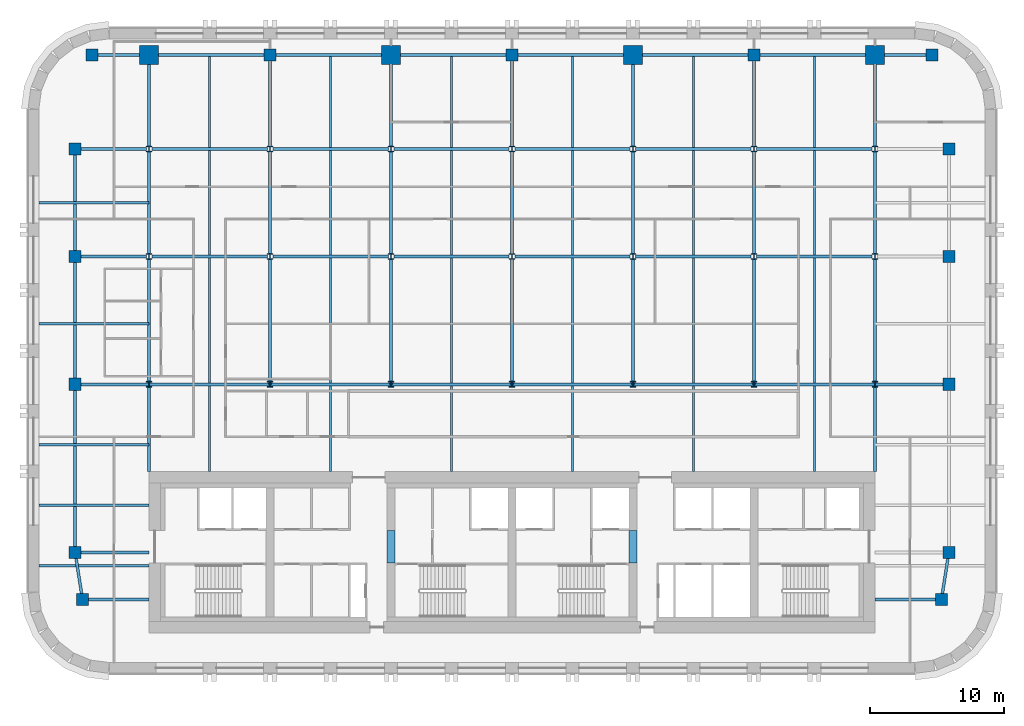
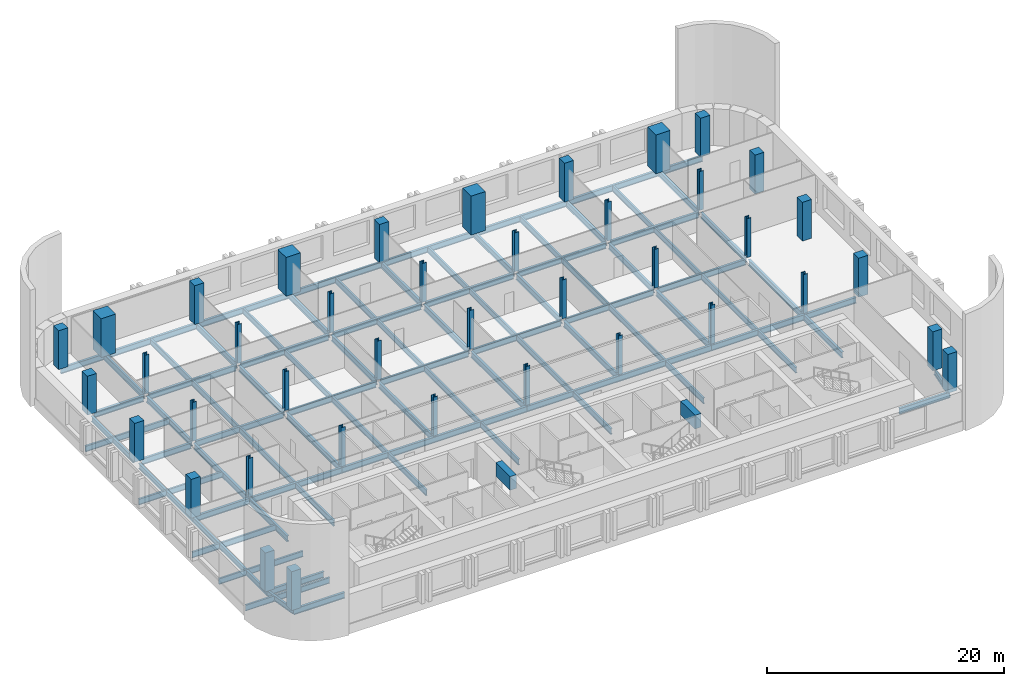
# One storey, part 1 of 9: 64 beams, 40 columns.
"""IFC4 building model written with IfcOpenShell, lengths in metres."""

import ifcopenshell
import ifcopenshell.guid

model = None  # the IFC model being written
_history = None  # IfcOwnerHistory: only IFC2X3 demands one
_inside = {}  # id of a spatial element -> (the spatial element, [elements in it])
_under = {}  # id of a project, library or spatial element -> (it, [spatial elements below it])
_declared = {}  # id of a project -> (the project, [libraries it declares])
_typed = {}  # id of a type object -> (the type object, [elements of that type])
_made_of = {}  # id of a material, layer set ... -> (it, [elements and type objects made of it])


def new_model(schema):
    """Start an empty IFC model of exactly this schema.

    Asked for "IFC4X3", IfcOpenShell would pick the latest addendum, in which some entities
    have other attributes; the version numbers below select the first issue.
    IFC2X3 requires an IfcOwnerHistory on every rooted entity: one is made here for all.
    """
    global model, _history
    if schema == "IFC4X3":
        model = ifcopenshell.file(schema_version=(4, 3, 0, 0))
    else:
        model = ifcopenshell.file(schema=schema)
    _inside.clear()
    _under.clear()
    _declared.clear()
    _typed.clear()
    _made_of.clear()
    _history = None
    if model.schema == "IFC2X3":
        org = make("IfcOrganization", Name="unknown")
        user = make(
            "IfcPersonAndOrganization",
            ThePerson=make("IfcPerson", FamilyName="unknown"),
            TheOrganization=org,
        )
        app = make(
            "IfcApplication",
            ApplicationDeveloper=org,
            Version="unknown",
            ApplicationFullName="unknown",
            ApplicationIdentifier="unknown",
        )
        _history = make(
            "IfcOwnerHistory",
            OwningUser=user,
            OwningApplication=app,
            ChangeAction="ADDED",
            CreationDate=0,
        )
    return model


def make(cls, **values):
    """One entity of the class cls with the attributes given. An attribute that is None is left unset."""
    return model.create_entity(
        cls, **{name: value for name, value in values.items() if value is not None}
    )


def rooted(cls, **values):
    """An entity with a GlobalId (a new one), such as an element, a storey or a relation."""
    return make(cls, GlobalId=ifcopenshell.guid.new(), OwnerHistory=_history, **values)


def si_unit(unit_type, name, prefix=None):
    """IfcSIUnit, for example si_unit("LENGTHUNIT", "METRE", prefix="MILLI")."""
    return make("IfcSIUnit", UnitType=unit_type, Prefix=prefix, Name=name)


def assignment(units):
    """IfcUnitAssignment: the units of a project."""
    return None if units is None else make("IfcUnitAssignment", Units=units)


def point(xyz):
    """IfcCartesianPoint."""
    return None if xyz is None else make("IfcCartesianPoint", Coordinates=xyz)


def direction(xyz):
    """IfcDirection."""
    return None if xyz is None else make("IfcDirection", DirectionRatios=xyz)


def frame(location, z_axis=None, x_axis=None):
    """IfcAxis2Placement3D, a coordinate frame: its origin and axes. An axis left out is left unset."""
    return make(
        "IfcAxis2Placement3D",
        Location=point(location),
        Axis=direction(z_axis),
        RefDirection=direction(x_axis),
    )


def frame_2d(location, x_axis=None):
    """IfcAxis2Placement2D, a coordinate frame in the plane: its origin and x axis."""
    return make(
        "IfcAxis2Placement2D", Location=point(location), RefDirection=direction(x_axis)
    )


def origin():
    """The frame at (0, 0, 0) with its axes left unset."""
    return frame((0.0, 0.0, 0.0))


def origin_2d():
    """The frame at (0, 0) in the plane with its x axis left unset."""
    return frame_2d((0.0, 0.0))


def place(relative_to, where):
    """IfcLocalPlacement: puts the frame where relative to a parent placement (None: the world)."""
    return make(
        "IfcLocalPlacement", PlacementRelTo=relative_to, RelativePlacement=where
    )


def context(
    kind, dimensions, precision=None, world=None, true_north=None, identifier=None
):
    """IfcGeometricRepresentationContext, for example the 3D "Model" context."""
    return make(
        "IfcGeometricRepresentationContext",
        ContextIdentifier=identifier,
        ContextType=kind,
        CoordinateSpaceDimension=dimensions,
        Precision=precision,
        WorldCoordinateSystem=world,
        TrueNorth=true_north,
    )


def subcontext(parent, identifier, kind, view, scale=None):
    """IfcGeometricRepresentationSubContext, for example "Body" below "Model"."""
    return make(
        "IfcGeometricRepresentationSubContext",
        ContextIdentifier=identifier,
        ContextType=kind,
        ParentContext=parent,
        TargetScale=scale,
        TargetView=view,
    )


def project(units=None, contexts=None):
    """IfcProject with its units and contexts."""
    return rooted(
        "IfcProject",
        Name="project",
        RepresentationContexts=contexts,
        UnitsInContext=assignment(units),
    )


def spatial(cls, under=None, at=None, **own):
    """A site, building, storey or space (cls), placed at a placement, below another one or the project."""
    s = rooted(cls, ObjectPlacement=at, **own)
    if under is not None:
        _under.setdefault(under.id(), (under, []))[1].append(s)
    return s


def profile(cls, at=None, kind="AREA", **sizes):
    """A parametric profile (cls). Its sizes go by their IFC names, for example OverallWidth=200.0."""
    return make(cls, ProfileType=kind, Position=at, **sizes)


def rectangle(**sizes):
    """IfcRectangleProfileDef."""
    return profile("IfcRectangleProfileDef", **sizes)


def i_section(**sizes):
    """IfcIShapeProfileDef."""
    return profile("IfcIShapeProfileDef", **sizes)


def extrude(swept, where, along, depth):
    """IfcExtrudedAreaSolid: the profile swept, set in the frame where, extruded along a direction by depth."""
    return make(
        "IfcExtrudedAreaSolid",
        SweptArea=swept,
        Position=where,
        ExtrudedDirection=direction(along),
        Depth=depth,
    )


def shape(context_of_items, identifier, shape_type, items):
    """IfcShapeRepresentation: the items that make up one representation, for example the "Body"."""
    return make(
        "IfcShapeRepresentation",
        ContextOfItems=context_of_items,
        RepresentationIdentifier=identifier,
        RepresentationType=shape_type,
        Items=items,
    )


def material(Name=None, Category=None):
    """IfcMaterial."""
    return make("IfcMaterial", Name=Name, Category=Category)


def material_profile(
    of_material, cross_section, Name=None, Category=None, Priority=None
):
    """IfcMaterialProfile: a cross section and its material."""
    return make(
        "IfcMaterialProfile",
        Name=Name,
        Material=of_material,
        Profile=cross_section,
        Priority=Priority,
        Category=Category,
    )


def profile_set(profiles, Name=None, composite=None):
    """IfcMaterialProfileSet."""
    return make(
        "IfcMaterialProfileSet",
        Name=Name,
        MaterialProfiles=profiles,
        CompositeProfile=composite,
    )


def made_of(thing, what):
    """Note that an element or type object is made of a material, layer set ...; save() writes the relation."""
    if what is not None:
        _made_of.setdefault(what.id(), (what, []))[1].append(thing)
    return thing


def type_object(cls, material=None, **own):
    """A type object (cls), such as IfcWallType, which elements share."""
    return made_of(rooted(cls, **own), material)


def element(
    cls,
    number,
    at=None,
    inside=None,
    cuts=None,
    type_object=None,
    material=None,
    context=None,
    identifier="Body",
    shape_type=None,
    held_by="IfcProductDefinitionShape",
    body=None,
    shapes=None,
    **own,
):
    """One element of the class cls, such as IfcWall. Its Tag is "e" and its number.

    at: its placement. inside: the storey or other place that contains it. cuts: it is an
    opening in that element (IfcRelVoidsElement). A single representation is given by context,
    identifier, shape_type and body (its items); several are given by shapes. held_by: the class
    of the entity that holds the representations. save() writes the other relations.
    """
    e = rooted(cls, Tag="e%d" % number, ObjectPlacement=at, **own)
    if body is not None:
        shapes = [shape(context, identifier, shape_type, body)]
    if shapes is not None:
        e.Representation = make(held_by, Representations=shapes)
    if inside is not None:
        _inside.setdefault(inside.id(), (inside, []))[1].append(e)
    if cuts is not None:
        rooted(
            "IfcRelVoidsElement", RelatingBuildingElement=cuts, RelatedOpeningElement=e
        )
    if type_object is not None:
        _typed.setdefault(type_object.id(), (type_object, []))[1].append(e)
    return made_of(e, material)


def aggregate(whole, parts):
    """IfcRelAggregates: a whole, such as a stair, and the parts it consists of."""
    return rooted("IfcRelAggregates", RelatingObject=whole, RelatedObjects=parts)


def save(model, path):
    """Write the relations noted so far, then the file.

    IfcRelAggregates (storeys below a building ...), IfcRelContainedInSpatialStructure (elements
    in a storey), IfcRelDefinesByType, IfcRelAssociatesMaterial and IfcRelDeclares: one each for
    every whole, place, type object, material and project.
    """
    for whole, parts in _under.values():
        aggregate(whole, parts)
    for where, things in _inside.values():
        rooted(
            "IfcRelContainedInSpatialStructure",
            RelatedElements=things,
            RelatingStructure=where,
        )
    for kind, things in _typed.values():
        rooted("IfcRelDefinesByType", RelatedObjects=things, RelatingType=kind)
    for what, things in _made_of.values():
        rooted("IfcRelAssociatesMaterial", RelatedObjects=things, RelatingMaterial=what)
    for by, libraries in _declared.values():
        rooted("IfcRelDeclares", RelatingContext=by, RelatedDefinitions=libraries)
    model.write(path)


model = new_model("IFC4")

# Units and contexts
model_context = context("Model", 3, precision=1e-05, world=origin(), true_north=direction((0.0, 1.0)))
body_context = subcontext(model_context, "Body", "Model", "MODEL_VIEW")
ifc_project = project(units=[si_unit("LENGTHUNIT", "METRE"), si_unit("AREAUNIT", "SQUARE_METRE"), si_unit("VOLUMEUNIT", "CUBIC_METRE"), si_unit("PLANEANGLEUNIT", "RADIAN"), si_unit("MASSUNIT", "GRAM", prefix="KILO")], contexts=[model_context])

# Site, building, storey
site_placement = place(None, origin())
site = spatial("IfcSite", under=ifc_project, at=site_placement, CompositionType="ELEMENT")
building_placement = place(site_placement, origin())
building = spatial("IfcBuilding", under=site, at=building_placement, Name="Zellij Exchange Tower", CompositionType="ELEMENT")
storey_placement = place(building_placement, frame((0.0, 0.0, 176.5)))
storey = spatial("IfcBuildingStorey", under=building, at=storey_placement, Name="L40", CompositionType="ELEMENT", Elevation=176.5)

# Columns
ifc_material_1 = material(Name="Concrete C60/75", Category="concrete")
ifc_material_profile_1 = material_profile(ifc_material_1, rectangle(XDim=0.89990234375, YDim=0.89990234375, at=origin_2d()), Name="STR-COLUMN RC900x900 C60/75")
ifc_profile_set_1 = profile_set([ifc_material_profile_1], Name="Concrete C60/75")
column_type_1 = type_object("IfcColumnType", Name="STR-COLUMN RC900x900 C60/75", PredefinedType="COLUMN", material=ifc_profile_set_1)
for number, where, z_axis, x_axis, name in (
    (1, (-31.949951171875, -11.5, 0.0), (0.0, 0.0, 1.0), (1.0, 0.0, 0.0), "C16"),
    (2, (31.949951171875, -11.5, 0.0), (0.0, 0.0, 1.0), (1.0, 0.0, 0.0), "C16"),
    (3, (-32.5, -8.0, 0.0), (0.0, 0.0, 1.0), (1.0, 0.0, 0.0), "C16"),
    (4, (32.5, -8.0, 0.0), (0.0, 0.0, 1.0), (1.0, 0.0, 0.0), "C16"),
    (5, (-32.5, 4.5, 0.0), (0.0, 0.0, 1.0), (1.0, 0.0, 0.0), "C16"),
    (6, (32.5, 4.5, 0.0), (0.0, 0.0, 1.0), (1.0, 0.0, 0.0), "C16"),
    (7, (-32.5, 14.0, 0.0), (0.0, 0.0, 1.0), (1.0, 0.0, 0.0), "C16"),
    (8, (32.5, 14.0, 0.0), (0.0, 0.0, 1.0), (1.0, 0.0, 0.0), "C16"),
    (9, (-32.5, 22.0, 0.0), (0.0, 0.0, 1.0), (1.0, 0.0, 0.0), "C16"),
    (10, (32.5, 22.0, 0.0), (0.0, 0.0, 1.0), (1.0, 0.0, 0.0), "C16"),
    (11, (-31.25, 29.0, 0.0), (0.0, 0.0, 1.0), (1.0, 0.0, 0.0), "C16"),
    (12, (-18.0, 29.0, 0.0), (0.0, 0.0, 1.0), (1.0, 0.0, 0.0), "C16"),
    (13, (0.0, 29.0, 0.0), (0.0, 0.0, 1.0), (1.0, 0.0, 0.0), "C16"),
    (14, (18.0, 29.0, 0.0), (0.0, 0.0, 1.0), (1.0, 0.0, 0.0), "C16"),
    (15, (31.25, 29.0, 0.0), (0.0, 0.0, 1.0), (1.0, 0.0, 0.0), "C16"),
):
    element("IfcColumn", number, at=place(storey_placement, frame(where, z_axis=z_axis, x_axis=x_axis)), inside=storey, type_object=column_type_1, Name=name, PredefinedType="COLUMN", context=body_context, shape_type="SweptSolid", body=[
        extrude(rectangle(XDim=0.89990234375, YDim=0.89990234375, at=origin_2d()), origin(), (0.0, 0.0, 1.0), 4.0),
    ])
ifc_material_2 = material(Name="Structural steel ASTM A913 Gr 65", Category="steel")
ifc_material_profile_2 = material_profile(ifc_material_2, i_section(OverallWidth=0.408935546875, OverallDepth=0.424072265625, WebThickness=0.03271484375, FlangeThickness=0.052490234375, at=origin_2d()), Name="W14x283")
ifc_profile_set_2 = profile_set([ifc_material_profile_2], Name="Structural steel ASTM A913 Gr 65")
column_type_2 = type_object("IfcColumnType", Name="STR-COLUMN W14x283", PredefinedType="COLUMN", material=ifc_profile_set_2)
for number, where, z_axis, x_axis, name in (
    (16, (-27.0, 4.5, 0.0), (0.0, 0.0, 1.0), (1.0, 0.0, 0.0), "C3"),
    (17, (-18.0, 4.5, 0.0), (0.0, 0.0, 1.0), (1.0, 0.0, 0.0), "C3"),
    (18, (-9.0, 4.5, 0.0), (0.0, 0.0, 1.0), (1.0, 0.0, 0.0), "C3"),
    (19, (0.0, 4.5, 0.0), (0.0, 0.0, 1.0), (1.0, 0.0, 0.0), "C3"),
    (20, (9.0, 4.5, 0.0), (0.0, 0.0, 1.0), (1.0, 0.0, 0.0), "C3"),
    (21, (18.0, 4.5, 0.0), (0.0, 0.0, 1.0), (1.0, 0.0, 0.0), "C3"),
    (22, (27.0, 4.5, 0.0), (0.0, 0.0, 1.0), (1.0, 0.0, 0.0), "C3"),
    (23, (-27.0, 14.0, 0.0), (0.0, 0.0, 1.0), (1.0, 0.0, 0.0), "C3"),
    (24, (-18.0, 14.0, 0.0), (0.0, 0.0, 1.0), (1.0, 0.0, 0.0), "C3"),
    (25, (-9.0, 14.0, 0.0), (0.0, 0.0, 1.0), (1.0, 0.0, 0.0), "C3"),
    (26, (0.0, 14.0, 0.0), (0.0, 0.0, 1.0), (1.0, 0.0, 0.0), "C3"),
    (27, (9.0, 14.0, 0.0), (0.0, 0.0, 1.0), (1.0, 0.0, 0.0), "C3"),
    (28, (18.0, 14.0, 0.0), (0.0, 0.0, 1.0), (1.0, 0.0, 0.0), "C3"),
    (29, (27.0, 14.0, 0.0), (0.0, 0.0, 1.0), (1.0, 0.0, 0.0), "C3"),
    (30, (-27.0, 22.0, 0.0), (0.0, 0.0, 1.0), (1.0, 0.0, 0.0), "C3"),
    (31, (-18.0, 22.0, 0.0), (0.0, 0.0, 1.0), (1.0, 0.0, 0.0), "C3"),
    (32, (-9.0, 22.0, 0.0), (0.0, 0.0, 1.0), (1.0, 0.0, 0.0), "C3"),
    (33, (0.0, 22.0, 0.0), (0.0, 0.0, 1.0), (1.0, 0.0, 0.0), "C3"),
    (34, (9.0, 22.0, 0.0), (0.0, 0.0, 1.0), (1.0, 0.0, 0.0), "C3"),
    (35, (18.0, 22.0, 0.0), (0.0, 0.0, 1.0), (1.0, 0.0, 0.0), "C3"),
    (36, (27.0, 22.0, 0.0), (0.0, 0.0, 1.0), (1.0, 0.0, 0.0), "C3"),
):
    element("IfcColumn", number, at=place(storey_placement, frame(where, z_axis=z_axis, x_axis=x_axis)), inside=storey, type_object=column_type_2, Name=name, PredefinedType="COLUMN", context=body_context, shape_type="SweptSolid", body=[
        extrude(i_section(OverallWidth=0.408935546875, OverallDepth=0.424072265625, WebThickness=0.03271484375, FlangeThickness=0.052490234375, at=origin_2d()), origin(), (0.0, 0.0, 1.0), 4.0),
    ])
ifc_material_profile_3 = material_profile(ifc_material_1, rectangle(XDim=1.39990234375, YDim=1.39990234375, at=origin_2d()), Name="STR-MEGA COLUMN RC1400x1400 C60/75")
ifc_profile_set_3 = profile_set([ifc_material_profile_3], Name="Concrete C60/75")
column_type_3 = type_object("IfcColumnType", Name="STR-MEGA COLUMN RC1400x1400 C60/75", PredefinedType="COLUMN", material=ifc_profile_set_3)
for number, where, z_axis, x_axis, name in (
    (37, (-27.0, 29.0, 0.0), (0.0, 0.0, 1.0), (1.0, 0.0, 0.0), "MC3"),
    (38, (-9.0, 29.0, 0.0), (0.0, 0.0, 1.0), (1.0, 0.0, 0.0), "MC3"),
    (39, (9.0, 29.0, 0.0), (0.0, 0.0, 1.0), (1.0, 0.0, 0.0), "MC3"),
    (40, (27.0, 29.0, 0.0), (0.0, 0.0, 1.0), (1.0, 0.0, 0.0), "MC3"),
):
    element("IfcColumn", number, at=place(storey_placement, frame(where, z_axis=z_axis, x_axis=x_axis)), inside=storey, type_object=column_type_3, Name=name, PredefinedType="COLUMN", context=body_context, shape_type="SweptSolid", body=[
        extrude(rectangle(XDim=1.39990234375, YDim=1.39990234375, at=origin_2d()), origin(), (0.0, 0.0, 1.0), 4.0),
    ])

# Beams
ifc_material_profile_4 = material_profile(ifc_material_1, rectangle(XDim=0.60009765625, YDim=1.39990234375, at=origin_2d()), Name="CORE-CB 600x1400 C60/75")
ifc_profile_set_4 = profile_set([ifc_material_profile_4], Name="Concrete C60/75")
beam_type_1 = type_object("IfcBeamType", Name="CORE-CB 600x1400 C60/75", PredefinedType="BEAM", material=ifc_profile_set_4)
for number, where, z_axis, x_axis, name in (
    (41, (-9.0, -8.800048828125, 3.10009765625), (0.0, 1.0, 0.0), (-1.0, 0.0, 0.0), "Core coupling beam x -9 L40"),
    (42, (9.0, -8.800048828125, 3.10009765625), (0.0, 1.0, 0.0), (-1.0, 0.0, 0.0), "Core coupling beam x 9 L40"),
):
    element("IfcBeam", number, at=place(storey_placement, frame(where, z_axis=z_axis, x_axis=x_axis)), inside=storey, type_object=beam_type_1, Name=name, PredefinedType="BEAM", context=body_context, shape_type="SweptSolid", body=[
        extrude(rectangle(XDim=0.60009765625, YDim=1.39990234375, at=origin_2d()), origin(), (0.0, 0.0, 1.0), 2.425048828125),
    ])
ifc_material_3 = material(Name="Structural steel ASTM A992 Gr 50", Category="steel")
ifc_material_profile_5 = material_profile(ifc_material_3, i_section(OverallWidth=0.177978515625, OverallDepth=0.599365234375, WebThickness=0.010009765625, FlangeThickness=0.012939453125, at=origin_2d()), Name="W24x55")
ifc_profile_set_5 = profile_set([ifc_material_profile_5], Name="Structural steel ASTM A992 Gr 50")
beam_type_2 = type_object("IfcBeamType", Name="STR-BEAM W24x55", PredefinedType="BEAM", material=ifc_profile_set_5)
for number, where, z_axis, x_axis, name in (
    (43, (-22.5, -2.0, -0.499755859375), (0.0, 1.0, 0.0), (-1.0, 0.0, 0.0), "B4"),
    (44, (-13.5, -2.0, -0.499755859375), (0.0, 1.0, 0.0), (-1.0, 0.0, 0.0), "B4"),
    (45, (-4.5, -2.0, -0.499755859375), (0.0, 1.0, 0.0), (-1.0, 0.0, 0.0), "B4"),
    (46, (4.5, -2.0, -0.499755859375), (0.0, 1.0, 0.0), (-1.0, 0.0, 0.0), "B4"),
    (47, (13.5, -2.0, -0.499755859375), (0.0, 1.0, 0.0), (-1.0, 0.0, 0.0), "B4"),
    (48, (22.5, -2.0, -0.499755859375), (0.0, 1.0, 0.0), (-1.0, 0.0, 0.0), "B4"),
):
    element("IfcBeam", number, at=place(storey_placement, frame(where, z_axis=z_axis, x_axis=x_axis)), inside=storey, type_object=beam_type_2, Name=name, PredefinedType="BEAM", context=body_context, shape_type="SweptSolid", body=[
        extrude(i_section(OverallWidth=0.177978515625, OverallDepth=0.599365234375, WebThickness=0.010009765625, FlangeThickness=0.012939453125, at=origin_2d()), origin(), (0.0, 0.0, 1.0), 31.1142578125),
    ])
for number, where, z_axis, x_axis, name in (
    (49, (-35.199951171875, -9.0, -0.499755859375), (1.0, 0.0, 0.0), (0.0, 1.0, 0.0), "B4"),
    (50, (-35.199951171875, -4.5, -0.499755859375), (1.0, 0.0, 0.0), (0.0, 1.0, 0.0), "B4"),
    (51, (-35.199951171875, 0.0, -0.499755859375), (1.0, 0.0, 0.0), (0.0, 1.0, 0.0), "B4"),
    (52, (-35.199951171875, 9.0, -0.499755859375), (1.0, 0.0, 0.0), (0.0, 1.0, 0.0), "B4"),
    (53, (-35.199951171875, 18.0, -0.499755859375), (1.0, 0.0, 0.0), (0.0, 1.0, 0.0), "B4"),
):
    element("IfcBeam", number, at=place(storey_placement, frame(where, z_axis=z_axis, x_axis=x_axis)), inside=storey, type_object=beam_type_2, Name=name, PredefinedType="BEAM", context=body_context, shape_type="SweptSolid", body=[
        extrude(i_section(OverallWidth=0.177978515625, OverallDepth=0.599365234375, WebThickness=0.010009765625, FlangeThickness=0.012939453125, at=origin_2d()), origin(), (0.0, 0.0, 1.0), 8.199951171875),
    ])
ifc_material_profile_6 = material_profile(ifc_material_3, i_section(OverallWidth=0.209228515625, OverallDepth=0.533447265625, WebThickness=0.01025390625, FlangeThickness=0.015625, at=origin_2d()), Name="W21x62")
ifc_profile_set_6 = profile_set([ifc_material_profile_6], Name="Structural steel ASTM A992 Gr 50")
beam_type_3 = type_object("IfcBeamType", Name="STR-EDGE GIRDER W21x62", PredefinedType="BEAM", material=ifc_profile_set_6)
beam_1_placement = place(storey_placement, frame((-31.949951171875, -11.5, -0.466796875), z_axis=(-0.155251283593, 0.987875011802, 0.0), x_axis=(-0.987875011802, -0.155251283593, 0.0)))
element("IfcBeam", 54, at=beam_1_placement, inside=storey, type_object=beam_type_3, Name="EB3", PredefinedType="BEAM", context=body_context, shape_type="SweptSolid", body=[
    extrude(i_section(OverallWidth=0.209228515625, OverallDepth=0.533447265625, WebThickness=0.01025390625, FlangeThickness=0.015625, at=origin_2d()), origin(), (0.0, 0.0, 1.0), 3.54296875),
])
beam_2_placement = place(storey_placement, frame((-32.5, -8.0, -0.466796875), z_axis=(0.0, 1.0, 0.0), x_axis=(-1.0, 0.0, 0.0)))
element("IfcBeam", 55, at=beam_2_placement, inside=storey, type_object=beam_type_3, Name="EB3", PredefinedType="BEAM", context=body_context, shape_type="SweptSolid", body=[
    extrude(i_section(OverallWidth=0.209228515625, OverallDepth=0.533447265625, WebThickness=0.01025390625, FlangeThickness=0.015625, at=origin_2d()), origin(), (0.0, 0.0, 1.0), 12.5),
])
beam_3_placement = place(storey_placement, frame((-32.5, 4.5, -0.466796875), z_axis=(0.0, 1.0, 0.0), x_axis=(-1.0, 0.0, 0.0)))
element("IfcBeam", 56, at=beam_3_placement, inside=storey, type_object=beam_type_3, Name="EB3", PredefinedType="BEAM", context=body_context, shape_type="SweptSolid", body=[
    extrude(i_section(OverallWidth=0.209228515625, OverallDepth=0.533447265625, WebThickness=0.01025390625, FlangeThickness=0.015625, at=origin_2d()), origin(), (0.0, 0.0, 1.0), 9.050048828125),
])
beam_4_placement = place(storey_placement, frame((-32.5, 14.449951171875, -0.466796875), z_axis=(0.0, 1.0, 0.0), x_axis=(-1.0, 0.0, 0.0)))
element("IfcBeam", 57, at=beam_4_placement, inside=storey, type_object=beam_type_3, Name="EB3", PredefinedType="BEAM", context=body_context, shape_type="SweptSolid", body=[
    extrude(i_section(OverallWidth=0.209228515625, OverallDepth=0.533447265625, WebThickness=0.01025390625, FlangeThickness=0.015625, at=origin_2d()), origin(), (0.0, 0.0, 1.0), 7.10009765625),
])
beam_5_placement = place(storey_placement, frame((31.949951171875, -11.5, -0.466796875), z_axis=(0.155251283593, 0.987875011802, 0.0), x_axis=(-0.987875011802, 0.155251283593, 0.0)))
element("IfcBeam", 58, at=beam_5_placement, inside=storey, type_object=beam_type_3, Name="EB3", PredefinedType="BEAM", context=body_context, shape_type="SweptSolid", body=[
    extrude(i_section(OverallWidth=0.209228515625, OverallDepth=0.533447265625, WebThickness=0.01025390625, FlangeThickness=0.015625, at=origin_2d()), origin(), (0.0, 0.0, 1.0), 3.54296875),
])
ifc_material_profile_7 = material_profile(ifc_material_3, i_section(OverallWidth=0.228271484375, OverallDepth=0.607177734375, WebThickness=0.01123046875, FlangeThickness=0.017333984375, at=origin_2d()), Name="W24x76")
ifc_profile_set_7 = profile_set([ifc_material_profile_7], Name="Structural steel ASTM A992 Gr 50")
beam_type_4 = type_object("IfcBeamType", Name="STR-GIRDER W24x76", PredefinedType="BEAM", material=ifc_profile_set_7)
for number, where, z_axis, x_axis, name in (
    (59, (-31.949951171875, -11.5, -0.50341796875), (1.0, 0.0, 0.0), (0.0, 1.0, 0.0), "G2"),
    (60, (27.0, -11.5, -0.50341796875), (1.0, 0.0, 0.0), (0.0, 1.0, 0.0), "G2"),
):
    element("IfcBeam", number, at=place(storey_placement, frame(where, z_axis=z_axis, x_axis=x_axis)), inside=storey, type_object=beam_type_4, Name=name, PredefinedType="BEAM", context=body_context, shape_type="SweptSolid", body=[
        extrude(i_section(OverallWidth=0.228271484375, OverallDepth=0.607177734375, WebThickness=0.01123046875, FlangeThickness=0.017333984375, at=origin_2d()), origin(), (0.0, 0.0, 1.0), 4.949951171875),
    ])
beam_6_placement = place(storey_placement, frame((-32.5, -8.0, -0.50341796875), z_axis=(1.0, 0.0, 0.0), x_axis=(0.0, 1.0, 0.0)))
element("IfcBeam", 61, at=beam_6_placement, inside=storey, type_object=beam_type_4, Name="G2", PredefinedType="BEAM", context=body_context, shape_type="SweptSolid", body=[
    extrude(i_section(OverallWidth=0.228271484375, OverallDepth=0.607177734375, WebThickness=0.01123046875, FlangeThickness=0.017333984375, at=origin_2d()), origin(), (0.0, 0.0, 1.0), 5.5),
])
beam_7_placement = place(storey_placement, frame((-32.5, 4.5, -0.50341796875), z_axis=(1.0, 0.0, 0.0), x_axis=(0.0, 1.0, 0.0)))
element("IfcBeam", 62, at=beam_7_placement, inside=storey, type_object=beam_type_4, Name="G2", PredefinedType="BEAM", context=body_context, shape_type="SweptSolid", body=[
    extrude(i_section(OverallWidth=0.228271484375, OverallDepth=0.607177734375, WebThickness=0.01123046875, FlangeThickness=0.017333984375, at=origin_2d()), origin(), (0.0, 0.0, 1.0), 14.5),
])
for number, where, z_axis, x_axis, name in (
    (63, (-18.0, 4.5, -0.50341796875), (1.0, 0.0, 0.0), (0.0, 1.0, 0.0), "G2"),
    (64, (0.0, 4.5, -0.50341796875), (1.0, 0.0, 0.0), (0.0, 1.0, 0.0), "G2"),
):
    element("IfcBeam", number, at=place(storey_placement, frame(where, z_axis=z_axis, x_axis=x_axis)), inside=storey, type_object=beam_type_4, Name=name, PredefinedType="BEAM", context=body_context, shape_type="SweptSolid", body=[
        extrude(i_section(OverallWidth=0.228271484375, OverallDepth=0.607177734375, WebThickness=0.01123046875, FlangeThickness=0.017333984375, at=origin_2d()), origin(), (0.0, 0.0, 1.0), 18.0),
    ])
beam_8_placement = place(storey_placement, frame((18.0, 4.5, -0.50341796875), z_axis=(1.0, 0.0, 0.0), x_axis=(0.0, 1.0, 0.0)))
element("IfcBeam", 65, at=beam_8_placement, inside=storey, type_object=beam_type_4, Name="G2", PredefinedType="BEAM", context=body_context, shape_type="SweptSolid", body=[
    extrude(i_section(OverallWidth=0.228271484375, OverallDepth=0.607177734375, WebThickness=0.01123046875, FlangeThickness=0.017333984375, at=origin_2d()), origin(), (0.0, 0.0, 1.0), 14.050048828125),
])
beam_9_placement = place(storey_placement, frame((-32.050048828125, 14.0, -0.50341796875), z_axis=(1.0, 0.0, 0.0), x_axis=(0.0, 1.0, 0.0)))
element("IfcBeam", 66, at=beam_9_placement, inside=storey, type_object=beam_type_4, Name="G2", PredefinedType="BEAM", context=body_context, shape_type="SweptSolid", body=[
    extrude(i_section(OverallWidth=0.228271484375, OverallDepth=0.607177734375, WebThickness=0.01123046875, FlangeThickness=0.017333984375, at=origin_2d()), origin(), (0.0, 0.0, 1.0), 4.845458984375),
])
for number, where, z_axis, x_axis, name in (
    (67, (-26.79541015625, 14.0, -0.50341796875), (1.0, 0.0, 0.0), (0.0, 1.0, 0.0), "G2"),
    (68, (-17.79541015625, 14.0, -0.50341796875), (1.0, 0.0, 0.0), (0.0, 1.0, 0.0), "G2"),
    (69, (-8.79541015625, 14.0, -0.50341796875), (1.0, 0.0, 0.0), (0.0, 1.0, 0.0), "G2"),
    (70, (0.20458984375, 14.0, -0.50341796875), (1.0, 0.0, 0.0), (0.0, 1.0, 0.0), "G2"),
    (71, (9.20458984375, 14.0, -0.50341796875), (1.0, 0.0, 0.0), (0.0, 1.0, 0.0), "G2"),
    (72, (18.20458984375, 14.0, -0.50341796875), (1.0, 0.0, 0.0), (0.0, 1.0, 0.0), "G2"),
):
    element("IfcBeam", number, at=place(storey_placement, frame(where, z_axis=z_axis, x_axis=x_axis)), inside=storey, type_object=beam_type_4, Name=name, PredefinedType="BEAM", context=body_context, shape_type="SweptSolid", body=[
        extrude(i_section(OverallWidth=0.228271484375, OverallDepth=0.607177734375, WebThickness=0.01123046875, FlangeThickness=0.017333984375, at=origin_2d()), origin(), (0.0, 0.0, 1.0), 8.5908203125),
    ])
beam_10_placement = place(storey_placement, frame((-32.050048828125, 22.0, -0.50341796875), z_axis=(1.0, 0.0, 0.0), x_axis=(0.0, 1.0, 0.0)))
element("IfcBeam", 73, at=beam_10_placement, inside=storey, type_object=beam_type_4, Name="G2", PredefinedType="BEAM", context=body_context, shape_type="SweptSolid", body=[
    extrude(i_section(OverallWidth=0.228271484375, OverallDepth=0.607177734375, WebThickness=0.01123046875, FlangeThickness=0.017333984375, at=origin_2d()), origin(), (0.0, 0.0, 1.0), 4.845458984375),
])
for number, where, z_axis, x_axis, name in (
    (74, (-26.79541015625, 22.0, -0.50341796875), (1.0, 0.0, 0.0), (0.0, 1.0, 0.0), "G2"),
    (75, (-17.79541015625, 22.0, -0.50341796875), (1.0, 0.0, 0.0), (0.0, 1.0, 0.0), "G2"),
    (76, (-8.79541015625, 22.0, -0.50341796875), (1.0, 0.0, 0.0), (0.0, 1.0, 0.0), "G2"),
    (77, (0.20458984375, 22.0, -0.50341796875), (1.0, 0.0, 0.0), (0.0, 1.0, 0.0), "G2"),
    (78, (9.20458984375, 22.0, -0.50341796875), (1.0, 0.0, 0.0), (0.0, 1.0, 0.0), "G2"),
    (79, (18.20458984375, 22.0, -0.50341796875), (1.0, 0.0, 0.0), (0.0, 1.0, 0.0), "G2"),
):
    element("IfcBeam", number, at=place(storey_placement, frame(where, z_axis=z_axis, x_axis=x_axis)), inside=storey, type_object=beam_type_4, Name=name, PredefinedType="BEAM", context=body_context, shape_type="SweptSolid", body=[
        extrude(i_section(OverallWidth=0.228271484375, OverallDepth=0.607177734375, WebThickness=0.01123046875, FlangeThickness=0.017333984375, at=origin_2d()), origin(), (0.0, 0.0, 1.0), 8.5908203125),
    ])
beam_11_placement = place(storey_placement, frame((-31.25, 29.0, -0.50341796875), z_axis=(1.0, 0.0, 0.0), x_axis=(0.0, 1.0, 0.0)))
element("IfcBeam", 80, at=beam_11_placement, inside=storey, type_object=beam_type_4, Name="G2", PredefinedType="BEAM", context=body_context, shape_type="SweptSolid", body=[
    extrude(i_section(OverallWidth=0.228271484375, OverallDepth=0.607177734375, WebThickness=0.01123046875, FlangeThickness=0.017333984375, at=origin_2d()), origin(), (0.0, 0.0, 1.0), 13.25),
])
for number, where, z_axis, x_axis, name in (
    (81, (-18.0, 29.0, -0.50341796875), (1.0, 0.0, 0.0), (0.0, 1.0, 0.0), "G2"),
    (82, (0.0, 29.0, -0.50341796875), (1.0, 0.0, 0.0), (0.0, 1.0, 0.0), "G2"),
):
    element("IfcBeam", number, at=place(storey_placement, frame(where, z_axis=z_axis, x_axis=x_axis)), inside=storey, type_object=beam_type_4, Name=name, PredefinedType="BEAM", context=body_context, shape_type="SweptSolid", body=[
        extrude(i_section(OverallWidth=0.228271484375, OverallDepth=0.607177734375, WebThickness=0.01123046875, FlangeThickness=0.017333984375, at=origin_2d()), origin(), (0.0, 0.0, 1.0), 18.0),
    ])
beam_12_placement = place(storey_placement, frame((18.0, 29.0, -0.50341796875), z_axis=(1.0, 0.0, 0.0), x_axis=(0.0, 1.0, 0.0)))
element("IfcBeam", 83, at=beam_12_placement, inside=storey, type_object=beam_type_4, Name="G2", PredefinedType="BEAM", context=body_context, shape_type="SweptSolid", body=[
    extrude(i_section(OverallWidth=0.228271484375, OverallDepth=0.607177734375, WebThickness=0.01123046875, FlangeThickness=0.017333984375, at=origin_2d()), origin(), (0.0, 0.0, 1.0), 13.25),
])
beam_13_placement = place(storey_placement, frame((-27.0, -2.0, -0.50341796875), z_axis=(0.0, 1.0, 0.0), x_axis=(-1.0, 0.0, 0.0)))
element("IfcBeam", 84, at=beam_13_placement, inside=storey, type_object=beam_type_4, Name="G2", PredefinedType="BEAM", context=body_context, shape_type="SweptSolid", body=[
    extrude(i_section(OverallWidth=0.228271484375, OverallDepth=0.607177734375, WebThickness=0.01123046875, FlangeThickness=0.017333984375, at=origin_2d()), origin(), (0.0, 0.0, 1.0), 15.787841796875),
])
beam_14_placement = place(storey_placement, frame((-27.0, 14.212158203125, -0.50341796875), z_axis=(0.0, 1.0, 0.0), x_axis=(-1.0, 0.0, 0.0)))
element("IfcBeam", 85, at=beam_14_placement, inside=storey, type_object=beam_type_4, Name="G2", PredefinedType="BEAM", context=body_context, shape_type="SweptSolid", body=[
    extrude(i_section(OverallWidth=0.228271484375, OverallDepth=0.607177734375, WebThickness=0.01123046875, FlangeThickness=0.017333984375, at=origin_2d()), origin(), (0.0, 0.0, 1.0), 7.57568359375),
])
beam_15_placement = place(storey_placement, frame((-27.0, 22.212158203125, -0.50341796875), z_axis=(0.0, 1.0, 0.0), x_axis=(-1.0, 0.0, 0.0)))
element("IfcBeam", 86, at=beam_15_placement, inside=storey, type_object=beam_type_4, Name="G2", PredefinedType="BEAM", context=body_context, shape_type="SweptSolid", body=[
    extrude(i_section(OverallWidth=0.228271484375, OverallDepth=0.607177734375, WebThickness=0.01123046875, FlangeThickness=0.017333984375, at=origin_2d()), origin(), (0.0, 0.0, 1.0), 6.787841796875),
])
beam_16_placement = place(storey_placement, frame((-18.0, 4.5, -0.50341796875), z_axis=(0.0, 1.0, 0.0), x_axis=(-1.0, 0.0, 0.0)))
element("IfcBeam", 87, at=beam_16_placement, inside=storey, type_object=beam_type_4, Name="G2", PredefinedType="BEAM", context=body_context, shape_type="SweptSolid", body=[
    extrude(i_section(OverallWidth=0.228271484375, OverallDepth=0.607177734375, WebThickness=0.01123046875, FlangeThickness=0.017333984375, at=origin_2d()), origin(), (0.0, 0.0, 1.0), 9.287841796875),
])
beam_17_placement = place(storey_placement, frame((-18.0, 14.212158203125, -0.50341796875), z_axis=(0.0, 1.0, 0.0), x_axis=(-1.0, 0.0, 0.0)))
element("IfcBeam", 88, at=beam_17_placement, inside=storey, type_object=beam_type_4, Name="G2", PredefinedType="BEAM", context=body_context, shape_type="SweptSolid", body=[
    extrude(i_section(OverallWidth=0.228271484375, OverallDepth=0.607177734375, WebThickness=0.01123046875, FlangeThickness=0.017333984375, at=origin_2d()), origin(), (0.0, 0.0, 1.0), 7.57568359375),
])
beam_18_placement = place(storey_placement, frame((-18.0, 22.212158203125, -0.50341796875), z_axis=(0.0, 1.0, 0.0), x_axis=(-1.0, 0.0, 0.0)))
element("IfcBeam", 89, at=beam_18_placement, inside=storey, type_object=beam_type_4, Name="G2", PredefinedType="BEAM", context=body_context, shape_type="SweptSolid", body=[
    extrude(i_section(OverallWidth=0.228271484375, OverallDepth=0.607177734375, WebThickness=0.01123046875, FlangeThickness=0.017333984375, at=origin_2d()), origin(), (0.0, 0.0, 1.0), 6.787841796875),
])
beam_19_placement = place(storey_placement, frame((-9.0, 4.5, -0.50341796875), z_axis=(0.0, 1.0, 0.0), x_axis=(-1.0, 0.0, 0.0)))
element("IfcBeam", 90, at=beam_19_placement, inside=storey, type_object=beam_type_4, Name="G2", PredefinedType="BEAM", context=body_context, shape_type="SweptSolid", body=[
    extrude(i_section(OverallWidth=0.228271484375, OverallDepth=0.607177734375, WebThickness=0.01123046875, FlangeThickness=0.017333984375, at=origin_2d()), origin(), (0.0, 0.0, 1.0), 9.287841796875),
])
beam_20_placement = place(storey_placement, frame((-9.0, 14.212158203125, -0.50341796875), z_axis=(0.0, 1.0, 0.0), x_axis=(-1.0, 0.0, 0.0)))
element("IfcBeam", 91, at=beam_20_placement, inside=storey, type_object=beam_type_4, Name="G2", PredefinedType="BEAM", context=body_context, shape_type="SweptSolid", body=[
    extrude(i_section(OverallWidth=0.228271484375, OverallDepth=0.607177734375, WebThickness=0.01123046875, FlangeThickness=0.017333984375, at=origin_2d()), origin(), (0.0, 0.0, 1.0), 7.57568359375),
])
beam_21_placement = place(storey_placement, frame((-9.0, 22.212158203125, -0.50341796875), z_axis=(0.0, 1.0, 0.0), x_axis=(-1.0, 0.0, 0.0)))
element("IfcBeam", 92, at=beam_21_placement, inside=storey, type_object=beam_type_4, Name="G2", PredefinedType="BEAM", context=body_context, shape_type="SweptSolid", body=[
    extrude(i_section(OverallWidth=0.228271484375, OverallDepth=0.607177734375, WebThickness=0.01123046875, FlangeThickness=0.017333984375, at=origin_2d()), origin(), (0.0, 0.0, 1.0), 6.787841796875),
])
beam_22_placement = place(storey_placement, frame((0.0, 4.5, -0.50341796875), z_axis=(0.0, 1.0, 0.0), x_axis=(-1.0, 0.0, 0.0)))
element("IfcBeam", 93, at=beam_22_placement, inside=storey, type_object=beam_type_4, Name="G2", PredefinedType="BEAM", context=body_context, shape_type="SweptSolid", body=[
    extrude(i_section(OverallWidth=0.228271484375, OverallDepth=0.607177734375, WebThickness=0.01123046875, FlangeThickness=0.017333984375, at=origin_2d()), origin(), (0.0, 0.0, 1.0), 9.287841796875),
])
beam_23_placement = place(storey_placement, frame((0.0, 14.212158203125, -0.50341796875), z_axis=(0.0, 1.0, 0.0), x_axis=(-1.0, 0.0, 0.0)))
element("IfcBeam", 94, at=beam_23_placement, inside=storey, type_object=beam_type_4, Name="G2", PredefinedType="BEAM", context=body_context, shape_type="SweptSolid", body=[
    extrude(i_section(OverallWidth=0.228271484375, OverallDepth=0.607177734375, WebThickness=0.01123046875, FlangeThickness=0.017333984375, at=origin_2d()), origin(), (0.0, 0.0, 1.0), 7.57568359375),
])
beam_24_placement = place(storey_placement, frame((0.0, 22.212158203125, -0.50341796875), z_axis=(0.0, 1.0, 0.0), x_axis=(-1.0, 0.0, 0.0)))
element("IfcBeam", 95, at=beam_24_placement, inside=storey, type_object=beam_type_4, Name="G2", PredefinedType="BEAM", context=body_context, shape_type="SweptSolid", body=[
    extrude(i_section(OverallWidth=0.228271484375, OverallDepth=0.607177734375, WebThickness=0.01123046875, FlangeThickness=0.017333984375, at=origin_2d()), origin(), (0.0, 0.0, 1.0), 6.787841796875),
])
beam_25_placement = place(storey_placement, frame((9.0, 4.5, -0.50341796875), z_axis=(0.0, 1.0, 0.0), x_axis=(-1.0, 0.0, 0.0)))
element("IfcBeam", 96, at=beam_25_placement, inside=storey, type_object=beam_type_4, Name="G2", PredefinedType="BEAM", context=body_context, shape_type="SweptSolid", body=[
    extrude(i_section(OverallWidth=0.228271484375, OverallDepth=0.607177734375, WebThickness=0.01123046875, FlangeThickness=0.017333984375, at=origin_2d()), origin(), (0.0, 0.0, 1.0), 9.287841796875),
])
beam_26_placement = place(storey_placement, frame((9.0, 14.212158203125, -0.50341796875), z_axis=(0.0, 1.0, 0.0), x_axis=(-1.0, 0.0, 0.0)))
element("IfcBeam", 97, at=beam_26_placement, inside=storey, type_object=beam_type_4, Name="G2", PredefinedType="BEAM", context=body_context, shape_type="SweptSolid", body=[
    extrude(i_section(OverallWidth=0.228271484375, OverallDepth=0.607177734375, WebThickness=0.01123046875, FlangeThickness=0.017333984375, at=origin_2d()), origin(), (0.0, 0.0, 1.0), 7.57568359375),
])
beam_27_placement = place(storey_placement, frame((9.0, 22.212158203125, -0.50341796875), z_axis=(0.0, 1.0, 0.0), x_axis=(-1.0, 0.0, 0.0)))
element("IfcBeam", 98, at=beam_27_placement, inside=storey, type_object=beam_type_4, Name="G2", PredefinedType="BEAM", context=body_context, shape_type="SweptSolid", body=[
    extrude(i_section(OverallWidth=0.228271484375, OverallDepth=0.607177734375, WebThickness=0.01123046875, FlangeThickness=0.017333984375, at=origin_2d()), origin(), (0.0, 0.0, 1.0), 6.787841796875),
])
beam_28_placement = place(storey_placement, frame((18.0, 4.5, -0.50341796875), z_axis=(0.0, 1.0, 0.0), x_axis=(-1.0, 0.0, 0.0)))
element("IfcBeam", 99, at=beam_28_placement, inside=storey, type_object=beam_type_4, Name="G2", PredefinedType="BEAM", context=body_context, shape_type="SweptSolid", body=[
    extrude(i_section(OverallWidth=0.228271484375, OverallDepth=0.607177734375, WebThickness=0.01123046875, FlangeThickness=0.017333984375, at=origin_2d()), origin(), (0.0, 0.0, 1.0), 9.287841796875),
])
beam_29_placement = place(storey_placement, frame((18.0, 14.212158203125, -0.50341796875), z_axis=(0.0, 1.0, 0.0), x_axis=(-1.0, 0.0, 0.0)))
element("IfcBeam", 100, at=beam_29_placement, inside=storey, type_object=beam_type_4, Name="G2", PredefinedType="BEAM", context=body_context, shape_type="SweptSolid", body=[
    extrude(i_section(OverallWidth=0.228271484375, OverallDepth=0.607177734375, WebThickness=0.01123046875, FlangeThickness=0.017333984375, at=origin_2d()), origin(), (0.0, 0.0, 1.0), 7.57568359375),
])
beam_30_placement = place(storey_placement, frame((18.0, 22.212158203125, -0.50341796875), z_axis=(0.0, 1.0, 0.0), x_axis=(-1.0, 0.0, 0.0)))
element("IfcBeam", 101, at=beam_30_placement, inside=storey, type_object=beam_type_4, Name="G2", PredefinedType="BEAM", context=body_context, shape_type="SweptSolid", body=[
    extrude(i_section(OverallWidth=0.228271484375, OverallDepth=0.607177734375, WebThickness=0.01123046875, FlangeThickness=0.017333984375, at=origin_2d()), origin(), (0.0, 0.0, 1.0), 6.787841796875),
])
beam_31_placement = place(storey_placement, frame((27.0, -2.0, -0.50341796875), z_axis=(0.0, 1.0, 0.0), x_axis=(-1.0, 0.0, 0.0)))
element("IfcBeam", 102, at=beam_31_placement, inside=storey, type_object=beam_type_4, Name="G2", PredefinedType="BEAM", context=body_context, shape_type="SweptSolid", body=[
    extrude(i_section(OverallWidth=0.228271484375, OverallDepth=0.607177734375, WebThickness=0.01123046875, FlangeThickness=0.017333984375, at=origin_2d()), origin(), (0.0, 0.0, 1.0), 15.787841796875),
])
beam_32_placement = place(storey_placement, frame((27.0, 14.212158203125, -0.50341796875), z_axis=(0.0, 1.0, 0.0), x_axis=(-1.0, 0.0, 0.0)))
element("IfcBeam", 103, at=beam_32_placement, inside=storey, type_object=beam_type_4, Name="G2", PredefinedType="BEAM", context=body_context, shape_type="SweptSolid", body=[
    extrude(i_section(OverallWidth=0.228271484375, OverallDepth=0.607177734375, WebThickness=0.01123046875, FlangeThickness=0.017333984375, at=origin_2d()), origin(), (0.0, 0.0, 1.0), 7.57568359375),
])
beam_33_placement = place(storey_placement, frame((27.0, 22.212158203125, -0.50341796875), z_axis=(0.0, 1.0, 0.0), x_axis=(-1.0, 0.0, 0.0)))
element("IfcBeam", 104, at=beam_33_placement, inside=storey, type_object=beam_type_4, Name="G2", PredefinedType="BEAM", context=body_context, shape_type="SweptSolid", body=[
    extrude(i_section(OverallWidth=0.228271484375, OverallDepth=0.607177734375, WebThickness=0.01123046875, FlangeThickness=0.017333984375, at=origin_2d()), origin(), (0.0, 0.0, 1.0), 6.787841796875),
])

save(model, "model.ifc")
